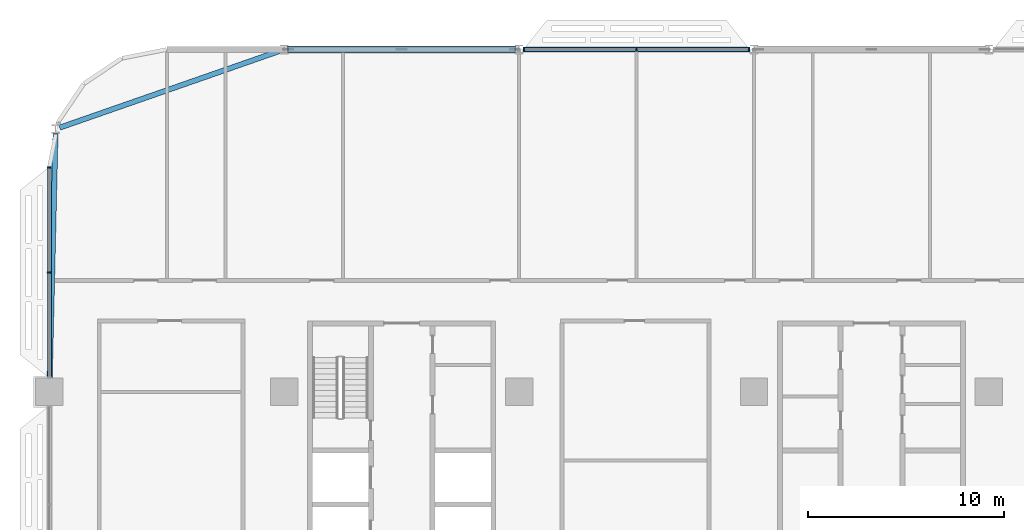
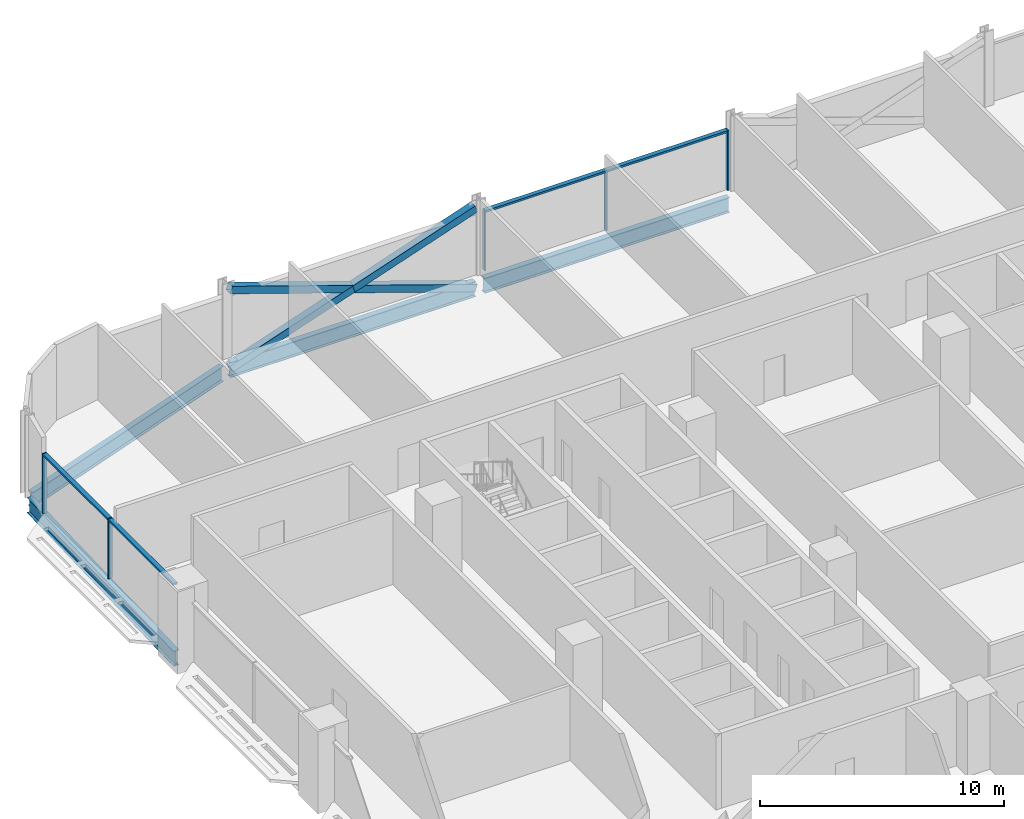
# One storey, part 6 of 29: 12 members, 4 beams, 2 elements without a shape of their own.
"""IFC4 building model written with IfcOpenShell, lengths in metres."""

import ifcopenshell
import ifcopenshell.guid

model = None  # the IFC model being written
_history = None  # IfcOwnerHistory: only IFC2X3 demands one
_inside = {}  # id of a spatial element -> (the spatial element, [elements in it])
_under = {}  # id of a project, library or spatial element -> (it, [spatial elements below it])
_declared = {}  # id of a project -> (the project, [libraries it declares])
_typed = {}  # id of a type object -> (the type object, [elements of that type])
_made_of = {}  # id of a material, layer set ... -> (it, [elements and type objects made of it])


def new_model(schema):
    """Start an empty IFC model of exactly this schema.

    Asked for "IFC4X3", IfcOpenShell would pick the latest addendum, in which some entities
    have other attributes; the version numbers below select the first issue.
    IFC2X3 requires an IfcOwnerHistory on every rooted entity: one is made here for all.
    """
    global model, _history
    if schema == "IFC4X3":
        model = ifcopenshell.file(schema_version=(4, 3, 0, 0))
    else:
        model = ifcopenshell.file(schema=schema)
    _inside.clear()
    _under.clear()
    _declared.clear()
    _typed.clear()
    _made_of.clear()
    _history = None
    if model.schema == "IFC2X3":
        org = make("IfcOrganization", Name="unknown")
        user = make(
            "IfcPersonAndOrganization",
            ThePerson=make("IfcPerson", FamilyName="unknown"),
            TheOrganization=org,
        )
        app = make(
            "IfcApplication",
            ApplicationDeveloper=org,
            Version="unknown",
            ApplicationFullName="unknown",
            ApplicationIdentifier="unknown",
        )
        _history = make(
            "IfcOwnerHistory",
            OwningUser=user,
            OwningApplication=app,
            ChangeAction="ADDED",
            CreationDate=0,
        )
    return model


def make(cls, **values):
    """One entity of the class cls with the attributes given. An attribute that is None is left unset."""
    return model.create_entity(
        cls, **{name: value for name, value in values.items() if value is not None}
    )


def rooted(cls, **values):
    """An entity with a GlobalId (a new one), such as an element, a storey or a relation."""
    return make(cls, GlobalId=ifcopenshell.guid.new(), OwnerHistory=_history, **values)


def si_unit(unit_type, name, prefix=None):
    """IfcSIUnit, for example si_unit("LENGTHUNIT", "METRE", prefix="MILLI")."""
    return make("IfcSIUnit", UnitType=unit_type, Prefix=prefix, Name=name)


def assignment(units):
    """IfcUnitAssignment: the units of a project."""
    return None if units is None else make("IfcUnitAssignment", Units=units)


def point(xyz):
    """IfcCartesianPoint."""
    return None if xyz is None else make("IfcCartesianPoint", Coordinates=xyz)


def direction(xyz):
    """IfcDirection."""
    return None if xyz is None else make("IfcDirection", DirectionRatios=xyz)


def frame(location, z_axis=None, x_axis=None):
    """IfcAxis2Placement3D, a coordinate frame: its origin and axes. An axis left out is left unset."""
    return make(
        "IfcAxis2Placement3D",
        Location=point(location),
        Axis=direction(z_axis),
        RefDirection=direction(x_axis),
    )


def frame_2d(location, x_axis=None):
    """IfcAxis2Placement2D, a coordinate frame in the plane: its origin and x axis."""
    return make(
        "IfcAxis2Placement2D", Location=point(location), RefDirection=direction(x_axis)
    )


def origin():
    """The frame at (0, 0, 0) with its axes left unset."""
    return frame((0.0, 0.0, 0.0))


def origin_2d():
    """The frame at (0, 0) in the plane with its x axis left unset."""
    return frame_2d((0.0, 0.0))


def place(relative_to, where):
    """IfcLocalPlacement: puts the frame where relative to a parent placement (None: the world)."""
    return make(
        "IfcLocalPlacement", PlacementRelTo=relative_to, RelativePlacement=where
    )


def context(
    kind, dimensions, precision=None, world=None, true_north=None, identifier=None
):
    """IfcGeometricRepresentationContext, for example the 3D "Model" context."""
    return make(
        "IfcGeometricRepresentationContext",
        ContextIdentifier=identifier,
        ContextType=kind,
        CoordinateSpaceDimension=dimensions,
        Precision=precision,
        WorldCoordinateSystem=world,
        TrueNorth=true_north,
    )


def subcontext(parent, identifier, kind, view, scale=None):
    """IfcGeometricRepresentationSubContext, for example "Body" below "Model"."""
    return make(
        "IfcGeometricRepresentationSubContext",
        ContextIdentifier=identifier,
        ContextType=kind,
        ParentContext=parent,
        TargetScale=scale,
        TargetView=view,
    )


def project(units=None, contexts=None):
    """IfcProject with its units and contexts."""
    return rooted(
        "IfcProject",
        Name="project",
        RepresentationContexts=contexts,
        UnitsInContext=assignment(units),
    )


def spatial(cls, under=None, at=None, **own):
    """A site, building, storey or space (cls), placed at a placement, below another one or the project."""
    s = rooted(cls, ObjectPlacement=at, **own)
    if under is not None:
        _under.setdefault(under.id(), (under, []))[1].append(s)
    return s


def profile(cls, at=None, kind="AREA", **sizes):
    """A parametric profile (cls). Its sizes go by their IFC names, for example OverallWidth=200.0."""
    return make(cls, ProfileType=kind, Position=at, **sizes)


def rectangle(**sizes):
    """IfcRectangleProfileDef."""
    return profile("IfcRectangleProfileDef", **sizes)


def hollow_rectangle(**sizes):
    """IfcRectangleHollowProfileDef."""
    return profile("IfcRectangleHollowProfileDef", **sizes)


def i_section(**sizes):
    """IfcIShapeProfileDef."""
    return profile("IfcIShapeProfileDef", **sizes)


def extrude(swept, where, along, depth):
    """IfcExtrudedAreaSolid: the profile swept, set in the frame where, extruded along a direction by depth."""
    return make(
        "IfcExtrudedAreaSolid",
        SweptArea=swept,
        Position=where,
        ExtrudedDirection=direction(along),
        Depth=depth,
    )


def shape(context_of_items, identifier, shape_type, items):
    """IfcShapeRepresentation: the items that make up one representation, for example the "Body"."""
    return make(
        "IfcShapeRepresentation",
        ContextOfItems=context_of_items,
        RepresentationIdentifier=identifier,
        RepresentationType=shape_type,
        Items=items,
    )


def material(Name=None, Category=None):
    """IfcMaterial."""
    return make("IfcMaterial", Name=Name, Category=Category)


def material_profile(
    of_material, cross_section, Name=None, Category=None, Priority=None
):
    """IfcMaterialProfile: a cross section and its material."""
    return make(
        "IfcMaterialProfile",
        Name=Name,
        Material=of_material,
        Profile=cross_section,
        Priority=Priority,
        Category=Category,
    )


def profile_set(profiles, Name=None, composite=None):
    """IfcMaterialProfileSet."""
    return make(
        "IfcMaterialProfileSet",
        Name=Name,
        MaterialProfiles=profiles,
        CompositeProfile=composite,
    )


def made_of(thing, what):
    """Note that an element or type object is made of a material, layer set ...; save() writes the relation."""
    if what is not None:
        _made_of.setdefault(what.id(), (what, []))[1].append(thing)
    return thing


def type_object(cls, material=None, **own):
    """A type object (cls), such as IfcWallType, which elements share."""
    return made_of(rooted(cls, **own), material)


def element(
    cls,
    number,
    at=None,
    inside=None,
    cuts=None,
    type_object=None,
    material=None,
    context=None,
    identifier="Body",
    shape_type=None,
    held_by="IfcProductDefinitionShape",
    body=None,
    shapes=None,
    **own,
):
    """One element of the class cls, such as IfcWall. Its Tag is "e" and its number.

    at: its placement. inside: the storey or other place that contains it. cuts: it is an
    opening in that element (IfcRelVoidsElement). A single representation is given by context,
    identifier, shape_type and body (its items); several are given by shapes. held_by: the class
    of the entity that holds the representations. save() writes the other relations.
    """
    e = rooted(cls, Tag="e%d" % number, ObjectPlacement=at, **own)
    if body is not None:
        shapes = [shape(context, identifier, shape_type, body)]
    if shapes is not None:
        e.Representation = make(held_by, Representations=shapes)
    if inside is not None:
        _inside.setdefault(inside.id(), (inside, []))[1].append(e)
    if cuts is not None:
        rooted(
            "IfcRelVoidsElement", RelatingBuildingElement=cuts, RelatedOpeningElement=e
        )
    if type_object is not None:
        _typed.setdefault(type_object.id(), (type_object, []))[1].append(e)
    return made_of(e, material)


def aggregate(whole, parts):
    """IfcRelAggregates: a whole, such as a stair, and the parts it consists of."""
    return rooted("IfcRelAggregates", RelatingObject=whole, RelatedObjects=parts)


def save(model, path):
    """Write the relations noted so far, then the file.

    IfcRelAggregates (storeys below a building ...), IfcRelContainedInSpatialStructure (elements
    in a storey), IfcRelDefinesByType, IfcRelAssociatesMaterial and IfcRelDeclares: one each for
    every whole, place, type object, material and project.
    """
    for whole, parts in _under.values():
        aggregate(whole, parts)
    for where, things in _inside.values():
        rooted(
            "IfcRelContainedInSpatialStructure",
            RelatedElements=things,
            RelatingStructure=where,
        )
    for kind, things in _typed.values():
        rooted("IfcRelDefinesByType", RelatedObjects=things, RelatingType=kind)
    for what, things in _made_of.values():
        rooted("IfcRelAssociatesMaterial", RelatedObjects=things, RelatingMaterial=what)
    for by, libraries in _declared.values():
        rooted("IfcRelDeclares", RelatingContext=by, RelatedDefinitions=libraries)
    model.write(path)


model = new_model("IFC4")

# Units and contexts
model_context = context("Model", 3, precision=1e-05, world=origin(), true_north=direction((0.0, 1.0)))
body_context = subcontext(model_context, "Body", "Model", "MODEL_VIEW")
ifc_project = project(units=[si_unit("LENGTHUNIT", "METRE"), si_unit("AREAUNIT", "SQUARE_METRE"), si_unit("VOLUMEUNIT", "CUBIC_METRE"), si_unit("PLANEANGLEUNIT", "RADIAN"), si_unit("MASSUNIT", "GRAM", prefix="KILO")], contexts=[model_context])

# Site, building, storey
site_placement = place(None, origin())
site = spatial("IfcSite", under=ifc_project, at=site_placement, CompositionType="ELEMENT")
building_placement = place(site_placement, origin())
building = spatial("IfcBuilding", under=site, at=building_placement, Name="Mahtab Terrace Research Tower", CompositionType="ELEMENT")
storey_placement = place(building_placement, frame((0.0, 0.0, 105.300048828125)))
storey = spatial("IfcBuildingStorey", under=building, at=storey_placement, Name="L24", CompositionType="ELEMENT", Elevation=105.300048828125)

# Members
ifc_material_1 = material(Name="Steel ASTM A500 Gr C", Category="steel")
ifc_material_profile_1 = material_profile(ifc_material_1, hollow_rectangle(XDim=0.355712890625, YDim=0.355712890625, WallThickness=0.01904296875, at=origin_2d()), Name="HSS14X14X3/4")
ifc_profile_set_1 = profile_set([ifc_material_profile_1], Name="Steel ASTM A500 Gr C")
member_type_1 = type_object("IfcMemberType", Name="HSS 14x14x3/4 brace XB141434", PredefinedType="BRACE", material=ifc_profile_set_1)
member_1_placement = place(storey_placement, frame((-18.20947265625, 29.0, -0.64697265625), z_axis=(-0.946292853795, 0.0, 0.323310740397), x_axis=(0.0, -1.0, 0.0)))
element("IfcMember", 1, at=member_1_placement, inside=storey, type_object=member_type_1, Name="Exoskeleton brace L24 07 a", PredefinedType="BRACE", context=body_context, shape_type="SweptSolid", body=[
    extrude(hollow_rectangle(XDim=0.355712890625, YDim=0.355712890625, WallThickness=0.01904296875, at=origin_2d()), origin(), (0.0, 0.0, 1.0), 12.23828125),
])
for number, where, z_axis, x_axis, name in (
    (2, (-29.79052734375, 29.0, -0.64697265625), (0.946286750388, 0.0, 0.323328603809), (0.0, 1.0, 0.0), "Exoskeleton brace L24 07 b1"),
    (3, (-24.0, 29.0, 1.33154296875), (0.946298956945, 0.0, 0.323292876639), (0.0, 1.0, 0.0), "Exoskeleton brace L24 07 b2"),
):
    element("IfcMember", number, at=place(storey_placement, frame(where, z_axis=z_axis, x_axis=x_axis)), inside=storey, type_object=member_type_1, Name=name, PredefinedType="BRACE", context=body_context, shape_type="SweptSolid", body=[
        extrude(hollow_rectangle(XDim=0.355712890625, YDim=0.355712890625, WallThickness=0.01904296875, at=origin_2d()), origin(), (0.0, 0.0, 1.0), 6.119140625),
    ])

# Curtain wall, members
ifc_material_2 = material(Name="Laboratory ribbon curtain wall")
curtain_wall_type = type_object("IfcCurtainWallType", Name="Laboratory ribbon curtain wall", PredefinedType="NOTDEFINED", material=ifc_material_2)
curtain_wall_1_placement = place(storey_placement, origin())
curtain_wall_1 = element("IfcCurtainWall", 4, at=curtain_wall_1_placement, inside=storey, type_object=curtain_wall_type, Name="EN.L24.3.8", PredefinedType="NOTDEFINED")
ifc_material_3 = material(Name="Natural anodised aluminium", Category="aluminium")
ifc_material_profile_2 = material_profile(ifc_material_3, rectangle(XDim=0.199951171875, YDim=0.06494140625, at=origin_2d()), Name="MULLION 65x200")
ifc_profile_set_2 = profile_set([ifc_material_profile_2], Name="Natural anodised aluminium")
member_type_2 = type_object("IfcMemberType", Name="Laboratory ribbon curtain wall mullion", PredefinedType="MULLION", material=ifc_profile_set_2)
member_2_placement = place(storey_placement, frame((-6.260498046875, 29.0, 0.0), z_axis=(0.0, 0.0, 1.0), x_axis=(0.0, -1.0, 0.0)))
member_2 = element("IfcMember", 5, at=member_2_placement, type_object=member_type_2, Name="CWL-3 mullion 1", PredefinedType="MULLION", context=body_context, shape_type="SweptSolid", body=[
    extrude(rectangle(XDim=0.199951171875, YDim=0.06494140625, at=origin_2d()), origin(), (0.0, 0.0, 1.0), 3.0029296875),
])
member_3_placement = place(storey_placement, frame((-12.0, 29.0, 0.0), z_axis=(0.0, 0.0, 1.0), x_axis=(0.0, -1.0, 0.0)))
member_3 = element("IfcMember", 6, at=member_3_placement, type_object=member_type_2, Name="CWL-3 mullion 2", PredefinedType="MULLION", context=body_context, shape_type="SweptSolid", body=[
    extrude(rectangle(XDim=0.199951171875, YDim=0.06494140625, at=origin_2d()), origin(), (0.0, 0.0, 1.0), 3.0029296875),
])
member_4_placement = place(storey_placement, frame((-17.739501953125, 29.0, 0.0), z_axis=(0.0, 0.0, 1.0), x_axis=(0.0, -1.0, 0.0)))
member_4 = element("IfcMember", 7, at=member_4_placement, type_object=member_type_2, Name="CWL-3 mullion 3", PredefinedType="MULLION", context=body_context, shape_type="SweptSolid", body=[
    extrude(rectangle(XDim=0.199951171875, YDim=0.06494140625, at=origin_2d()), origin(), (0.0, 0.0, 1.0), 3.0029296875),
])

curtain_wall_2_placement = place(storey_placement, origin())
curtain_wall_2 = element("IfcCurtainWall", 8, at=curtain_wall_2_placement, inside=storey, type_object=curtain_wall_type, Name="EN.L24.8.16", PredefinedType="NOTDEFINED")
member_5_placement = place(storey_placement, frame((-42.0, 22.967529296875, 0.0), z_axis=(0.0, 0.0, 1.0), x_axis=(1.0, 0.0, 0.0)))
member_5 = element("IfcMember", 9, at=member_5_placement, type_object=member_type_2, Name="CWL-3 mullion 1", PredefinedType="MULLION", context=body_context, shape_type="SweptSolid", body=[
    extrude(rectangle(XDim=0.199951171875, YDim=0.06494140625, at=origin_2d()), origin(), (0.0, 0.0, 1.0), 3.0029296875),
])
member_6_placement = place(storey_placement, frame((-42.0, 17.60009765625, 0.0), z_axis=(0.0, 0.0, 1.0), x_axis=(1.0, 0.0, 0.0)))
member_6 = element("IfcMember", 10, at=member_6_placement, type_object=member_type_2, Name="CWL-3 mullion 2", PredefinedType="MULLION", context=body_context, shape_type="SweptSolid", body=[
    extrude(rectangle(XDim=0.199951171875, YDim=0.06494140625, at=origin_2d()), origin(), (0.0, 0.0, 1.0), 3.0029296875),
])

# Member
ifc_material_profile_3 = material_profile(ifc_material_3, rectangle(XDim=0.199951171875, YDim=0.10009765625, at=origin_2d()), Name="TRANSOM 100x200")
ifc_profile_set_3 = profile_set([ifc_material_profile_3], Name="Natural anodised aluminium")
member_type_3 = type_object("IfcMemberType", Name="Laboratory ribbon curtain wall transom", PredefinedType="USERDEFINED", material=ifc_profile_set_3)
member_7_placement = place(storey_placement, frame((-6.29296875, 29.0, 2.953125), z_axis=(-1.0, 0.0, 0.0), x_axis=(0.0, -1.0, 0.0)))
member_7 = element("IfcMember", 11, at=member_7_placement, type_object=member_type_3, Name="CWL-3 transom 1", ObjectType="TRANSOM", PredefinedType="USERDEFINED", context=body_context, shape_type="SweptSolid", body=[
    extrude(rectangle(XDim=0.199951171875, YDim=0.10009765625, at=origin_2d()), origin(), (0.0, 0.0, 1.0), 5.674560546875),
])

member_8_placement = place(storey_placement, frame((-12.032470703125, 29.0, 2.953125), z_axis=(-1.0, 0.0, 0.0), x_axis=(0.0, -1.0, 0.0)))
member_8 = element("IfcMember", 12, at=member_8_placement, type_object=member_type_3, Name="CWL-3 transom 2", ObjectType="TRANSOM", PredefinedType="USERDEFINED", context=body_context, shape_type="SweptSolid", body=[
    extrude(rectangle(XDim=0.199951171875, YDim=0.10009765625, at=origin_2d()), origin(), (0.0, 0.0, 1.0), 5.674560546875),
])

aggregate(curtain_wall_1, [member_2, member_3, member_4, member_7, member_8])

member_9_placement = place(storey_placement, frame((-42.0, 22.93505859375, 2.953125), z_axis=(0.0, -1.0, 0.0), x_axis=(1.0, 0.0, 0.0)))
member_9 = element("IfcMember", 13, at=member_9_placement, type_object=member_type_3, Name="CWL-3 transom 1", ObjectType="TRANSOM", PredefinedType="USERDEFINED", context=body_context, shape_type="SweptSolid", body=[
    extrude(rectangle(XDim=0.199951171875, YDim=0.10009765625, at=origin_2d()), origin(), (0.0, 0.0, 1.0), 5.302490234375),
])

member_10_placement = place(storey_placement, frame((-42.0, 17.5673828125, 2.953125), z_axis=(0.0, -1.0, 0.0), x_axis=(1.0, 0.0, 0.0)))
member_10 = element("IfcMember", 14, at=member_10_placement, type_object=member_type_3, Name="CWL-3 transom 2", ObjectType="TRANSOM", PredefinedType="USERDEFINED", context=body_context, shape_type="SweptSolid", body=[
    extrude(rectangle(XDim=0.199951171875, YDim=0.10009765625, at=origin_2d()), origin(), (0.0, 0.0, 1.0), 5.302490234375),
])

aggregate(curtain_wall_2, [member_5, member_6, member_9, member_10])

# Beams
ifc_material_4 = material(Name="Steel ASTM A992 Gr 50", Category="steel")
ifc_material_profile_4 = material_profile(ifc_material_4, i_section(OverallWidth=0.2666015625, OverallDepth=0.7568359375, WebThickness=0.013916015625, FlangeThickness=0.019287109375, at=origin_2d()), Name="W30X108")
ifc_profile_set_4 = profile_set([ifc_material_profile_4], Name="Steel ASTM A992 Gr 50")
beam_type = type_object("IfcBeamType", Name="W30x108 beam BS30108", PredefinedType="BEAM", material=ifc_profile_set_4)
for number, where, z_axis, x_axis, name in (
    (15, (-6.20947265625, 29.0, -0.718505859375), (-1.0, 0.0, 0.0), (0.0, -1.0, 0.0), "Spandrel beam L24 06"),
    (16, (-18.20947265625, 29.0, -0.718505859375), (-1.0, 0.0, 0.0), (0.0, -1.0, 0.0), "Spandrel beam L24 07"),
):
    element("IfcBeam", number, at=place(storey_placement, frame(where, z_axis=z_axis, x_axis=x_axis)), inside=storey, type_object=beam_type, Name=name, PredefinedType="BEAM", context=body_context, shape_type="SweptSolid", body=[
        extrude(i_section(OverallWidth=0.2666015625, OverallDepth=0.7568359375, WebThickness=0.013916015625, FlangeThickness=0.019287109375, at=origin_2d()), origin(), (0.0, 0.0, 1.0), 11.5810546875),
    ])
beam_1_placement = place(storey_placement, frame((-30.20947265625, 28.927001953125, -0.718505859375), z_axis=(-0.944250501583, -0.32922786981, 0.0), x_axis=(0.32922786981, -0.944250501583, 0.0)))
element("IfcBeam", 17, at=beam_1_placement, inside=storey, type_object=beam_type, Name="Spandrel beam L24 08", PredefinedType="BEAM", context=body_context, shape_type="SweptSolid", body=[
    extrude(i_section(OverallWidth=0.2666015625, OverallDepth=0.7568359375, WebThickness=0.013916015625, FlangeThickness=0.019287109375, at=origin_2d()), origin(), (0.0, 0.0, 1.0), 11.927978515625),
])
beam_2_placement = place(storey_placement, frame((-41.6875, 24.69970703125, -0.718505859375), z_axis=(-0.02366570739, -0.999719927927, 0.0), x_axis=(0.999719927927, -0.02366570739, 0.0)))
element("IfcBeam", 18, at=beam_2_placement, inside=storey, type_object=beam_type, Name="Spandrel beam L24 09", PredefinedType="BEAM", context=body_context, shape_type="SweptSolid", body=[
    extrude(i_section(OverallWidth=0.2666015625, OverallDepth=0.7568359375, WebThickness=0.013916015625, FlangeThickness=0.019287109375, at=origin_2d()), origin(), (0.0, 0.0, 1.0), 12.503173828125),
])

save(model, "model.ifc")
